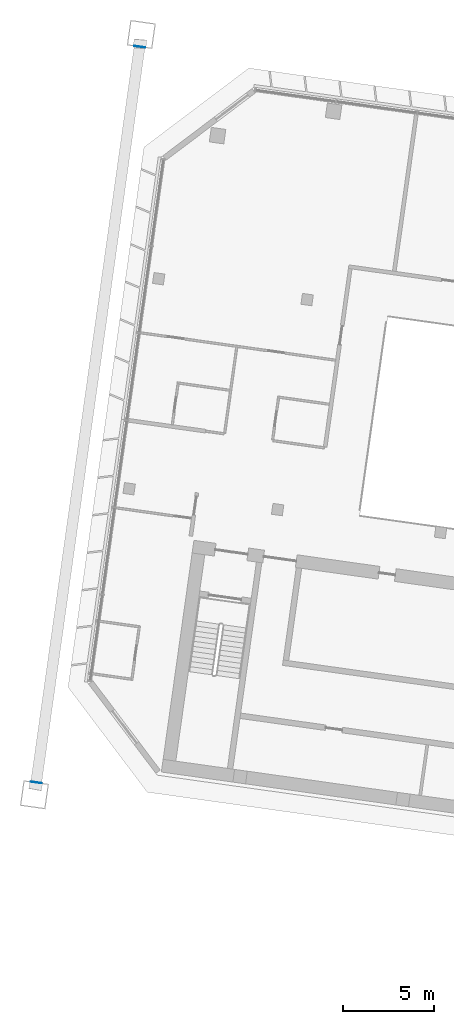
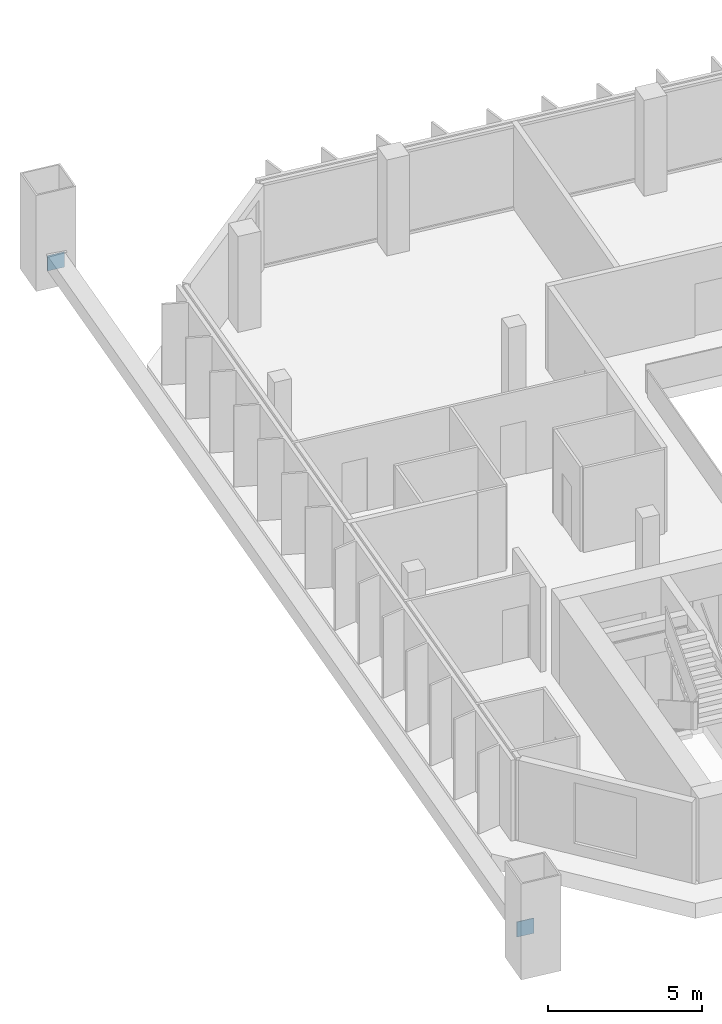
# One storey, part 28 of 31: 2 discrete accessories.
"""IFC4 building model written with IfcOpenShell, lengths in metres."""

import ifcopenshell
import ifcopenshell.guid

model = None  # the IFC model being written
_history = None  # IfcOwnerHistory: only IFC2X3 demands one
_inside = {}  # id of a spatial element -> (the spatial element, [elements in it])
_under = {}  # id of a project, library or spatial element -> (it, [spatial elements below it])
_declared = {}  # id of a project -> (the project, [libraries it declares])
_typed = {}  # id of a type object -> (the type object, [elements of that type])
_made_of = {}  # id of a material, layer set ... -> (it, [elements and type objects made of it])


def new_model(schema):
    """Start an empty IFC model of exactly this schema.

    Asked for "IFC4X3", IfcOpenShell would pick the latest addendum, in which some entities
    have other attributes; the version numbers below select the first issue.
    IFC2X3 requires an IfcOwnerHistory on every rooted entity: one is made here for all.
    """
    global model, _history
    if schema == "IFC4X3":
        model = ifcopenshell.file(schema_version=(4, 3, 0, 0))
    else:
        model = ifcopenshell.file(schema=schema)
    _inside.clear()
    _under.clear()
    _declared.clear()
    _typed.clear()
    _made_of.clear()
    _history = None
    if model.schema == "IFC2X3":
        org = make("IfcOrganization", Name="unknown")
        user = make(
            "IfcPersonAndOrganization",
            ThePerson=make("IfcPerson", FamilyName="unknown"),
            TheOrganization=org,
        )
        app = make(
            "IfcApplication",
            ApplicationDeveloper=org,
            Version="unknown",
            ApplicationFullName="unknown",
            ApplicationIdentifier="unknown",
        )
        _history = make(
            "IfcOwnerHistory",
            OwningUser=user,
            OwningApplication=app,
            ChangeAction="ADDED",
            CreationDate=0,
        )
    return model


def make(cls, **values):
    """One entity of the class cls with the attributes given. An attribute that is None is left unset."""
    return model.create_entity(
        cls, **{name: value for name, value in values.items() if value is not None}
    )


def rooted(cls, **values):
    """An entity with a GlobalId (a new one), such as an element, a storey or a relation."""
    return make(cls, GlobalId=ifcopenshell.guid.new(), OwnerHistory=_history, **values)


def si_unit(unit_type, name, prefix=None):
    """IfcSIUnit, for example si_unit("LENGTHUNIT", "METRE", prefix="MILLI")."""
    return make("IfcSIUnit", UnitType=unit_type, Prefix=prefix, Name=name)


def assignment(units):
    """IfcUnitAssignment: the units of a project."""
    return None if units is None else make("IfcUnitAssignment", Units=units)


def point(xyz):
    """IfcCartesianPoint."""
    return None if xyz is None else make("IfcCartesianPoint", Coordinates=xyz)


def direction(xyz):
    """IfcDirection."""
    return None if xyz is None else make("IfcDirection", DirectionRatios=xyz)


def frame(location, z_axis=None, x_axis=None):
    """IfcAxis2Placement3D, a coordinate frame: its origin and axes. An axis left out is left unset."""
    return make(
        "IfcAxis2Placement3D",
        Location=point(location),
        Axis=direction(z_axis),
        RefDirection=direction(x_axis),
    )


def frame_2d(location, x_axis=None):
    """IfcAxis2Placement2D, a coordinate frame in the plane: its origin and x axis."""
    return make(
        "IfcAxis2Placement2D", Location=point(location), RefDirection=direction(x_axis)
    )


def origin():
    """The frame at (0, 0, 0) with its axes left unset."""
    return frame((0.0, 0.0, 0.0))


def origin_2d():
    """The frame at (0, 0) in the plane with its x axis left unset."""
    return frame_2d((0.0, 0.0))


def place(relative_to, where):
    """IfcLocalPlacement: puts the frame where relative to a parent placement (None: the world)."""
    return make(
        "IfcLocalPlacement", PlacementRelTo=relative_to, RelativePlacement=where
    )


def context(
    kind, dimensions, precision=None, world=None, true_north=None, identifier=None
):
    """IfcGeometricRepresentationContext, for example the 3D "Model" context."""
    return make(
        "IfcGeometricRepresentationContext",
        ContextIdentifier=identifier,
        ContextType=kind,
        CoordinateSpaceDimension=dimensions,
        Precision=precision,
        WorldCoordinateSystem=world,
        TrueNorth=true_north,
    )


def subcontext(parent, identifier, kind, view, scale=None):
    """IfcGeometricRepresentationSubContext, for example "Body" below "Model"."""
    return make(
        "IfcGeometricRepresentationSubContext",
        ContextIdentifier=identifier,
        ContextType=kind,
        ParentContext=parent,
        TargetScale=scale,
        TargetView=view,
    )


def project(units=None, contexts=None):
    """IfcProject with its units and contexts."""
    return rooted(
        "IfcProject",
        Name="project",
        RepresentationContexts=contexts,
        UnitsInContext=assignment(units),
    )


def spatial(cls, under=None, at=None, **own):
    """A site, building, storey or space (cls), placed at a placement, below another one or the project."""
    s = rooted(cls, ObjectPlacement=at, **own)
    if under is not None:
        _under.setdefault(under.id(), (under, []))[1].append(s)
    return s


def profile(cls, at=None, kind="AREA", **sizes):
    """A parametric profile (cls). Its sizes go by their IFC names, for example OverallWidth=200.0."""
    return make(cls, ProfileType=kind, Position=at, **sizes)


def rectangle(**sizes):
    """IfcRectangleProfileDef."""
    return profile("IfcRectangleProfileDef", **sizes)


def extrude(swept, where, along, depth):
    """IfcExtrudedAreaSolid: the profile swept, set in the frame where, extruded along a direction by depth."""
    return make(
        "IfcExtrudedAreaSolid",
        SweptArea=swept,
        Position=where,
        ExtrudedDirection=direction(along),
        Depth=depth,
    )


def shape(context_of_items, identifier, shape_type, items):
    """IfcShapeRepresentation: the items that make up one representation, for example the "Body"."""
    return make(
        "IfcShapeRepresentation",
        ContextOfItems=context_of_items,
        RepresentationIdentifier=identifier,
        RepresentationType=shape_type,
        Items=items,
    )


def material(Name=None, Category=None):
    """IfcMaterial."""
    return make("IfcMaterial", Name=Name, Category=Category)


def material_profile(
    of_material, cross_section, Name=None, Category=None, Priority=None
):
    """IfcMaterialProfile: a cross section and its material."""
    return make(
        "IfcMaterialProfile",
        Name=Name,
        Material=of_material,
        Profile=cross_section,
        Priority=Priority,
        Category=Category,
    )


def profile_set(profiles, Name=None, composite=None):
    """IfcMaterialProfileSet."""
    return make(
        "IfcMaterialProfileSet",
        Name=Name,
        MaterialProfiles=profiles,
        CompositeProfile=composite,
    )


def made_of(thing, what):
    """Note that an element or type object is made of a material, layer set ...; save() writes the relation."""
    if what is not None:
        _made_of.setdefault(what.id(), (what, []))[1].append(thing)
    return thing


def type_object(cls, material=None, **own):
    """A type object (cls), such as IfcWallType, which elements share."""
    return made_of(rooted(cls, **own), material)


def element(
    cls,
    number,
    at=None,
    inside=None,
    cuts=None,
    type_object=None,
    material=None,
    context=None,
    identifier="Body",
    shape_type=None,
    held_by="IfcProductDefinitionShape",
    body=None,
    shapes=None,
    **own,
):
    """One element of the class cls, such as IfcWall. Its Tag is "e" and its number.

    at: its placement. inside: the storey or other place that contains it. cuts: it is an
    opening in that element (IfcRelVoidsElement). A single representation is given by context,
    identifier, shape_type and body (its items); several are given by shapes. held_by: the class
    of the entity that holds the representations. save() writes the other relations.
    """
    e = rooted(cls, Tag="e%d" % number, ObjectPlacement=at, **own)
    if body is not None:
        shapes = [shape(context, identifier, shape_type, body)]
    if shapes is not None:
        e.Representation = make(held_by, Representations=shapes)
    if inside is not None:
        _inside.setdefault(inside.id(), (inside, []))[1].append(e)
    if cuts is not None:
        rooted(
            "IfcRelVoidsElement", RelatingBuildingElement=cuts, RelatedOpeningElement=e
        )
    if type_object is not None:
        _typed.setdefault(type_object.id(), (type_object, []))[1].append(e)
    return made_of(e, material)


def aggregate(whole, parts):
    """IfcRelAggregates: a whole, such as a stair, and the parts it consists of."""
    return rooted("IfcRelAggregates", RelatingObject=whole, RelatedObjects=parts)


def save(model, path):
    """Write the relations noted so far, then the file.

    IfcRelAggregates (storeys below a building ...), IfcRelContainedInSpatialStructure (elements
    in a storey), IfcRelDefinesByType, IfcRelAssociatesMaterial and IfcRelDeclares: one each for
    every whole, place, type object, material and project.
    """
    for whole, parts in _under.values():
        aggregate(whole, parts)
    for where, things in _inside.values():
        rooted(
            "IfcRelContainedInSpatialStructure",
            RelatedElements=things,
            RelatingStructure=where,
        )
    for kind, things in _typed.values():
        rooted("IfcRelDefinesByType", RelatedObjects=things, RelatingType=kind)
    for what, things in _made_of.values():
        rooted("IfcRelAssociatesMaterial", RelatedObjects=things, RelatingMaterial=what)
    for by, libraries in _declared.values():
        rooted("IfcRelDeclares", RelatingContext=by, RelatedDefinitions=libraries)
    model.write(path)


model = new_model("IFC4")

# Units and contexts
model_context = context("Model", 3, precision=1e-05, world=origin(), true_north=direction((0.0, 1.0)))
body_context = subcontext(model_context, "Body", "Model", "MODEL_VIEW")
ifc_project = project(units=[si_unit("LENGTHUNIT", "METRE"), si_unit("AREAUNIT", "SQUARE_METRE"), si_unit("VOLUMEUNIT", "CUBIC_METRE"), si_unit("PLANEANGLEUNIT", "RADIAN"), si_unit("MASSUNIT", "GRAM", prefix="KILO")], contexts=[model_context])

# Site, building, storey
site_placement = place(None, origin())
site = spatial("IfcSite", under=ifc_project, at=site_placement, CompositionType="ELEMENT")
building_placement = place(site_placement, origin())
building = spatial("IfcBuilding", under=site, at=building_placement, Name="Mirante Cascada Hotel Towers", CompositionType="ELEMENT")
storey_placement = place(building_placement, frame((0.0, 0.0, 157.4)))
storey = spatial("IfcBuildingStorey", under=building, at=storey_placement, Name="L36", CompositionType="ELEMENT", Elevation=157.4)

# Discrete accessories
ifc_material = material(Name="Steel ASTM A572 Gr 50", Category="steel")
ifc_material_profile = material_profile(ifc_material, rectangle(XDim=0.6, YDim=0.6, at=origin_2d()), Name="Connection plate 600x600x25 ASTM A572 Gr 50")
ifc_profile_set = profile_set([ifc_material_profile], Name="Steel ASTM A572 Gr 50")
discrete_accessory_type = type_object("IfcDiscreteAccessoryType", Name="Connection plate 600x600x25 ASTM A572 Gr 50", PredefinedType="BRACKET", material=ifc_profile_set)
for number, where, z_axis, x_axis, name in (
    (1, (-97.1972, -13.0884, 1.0), (0.1397442, 0.9901876, 0.0), (-0.9901876, 0.1397442, 0.0), "Connection plate NCH"),
    (2, (-91.5412, 27.1561, 1.0), (0.1397442, 0.9901876, 0.0), (-0.9901876, 0.1397442, 0.0), "Connection plate NCH"),
):
    element("IfcDiscreteAccessory", number, at=place(storey_placement, frame(where, z_axis=z_axis, x_axis=x_axis)), inside=storey, type_object=discrete_accessory_type, Name=name, PredefinedType="BRACKET", context=body_context, shape_type="SweptSolid", body=[
        extrude(rectangle(XDim=0.6, YDim=0.6, at=origin_2d()), origin(), (0.0, 0.0, 1.0), 0.025),
    ])

save(model, "model.ifc")
